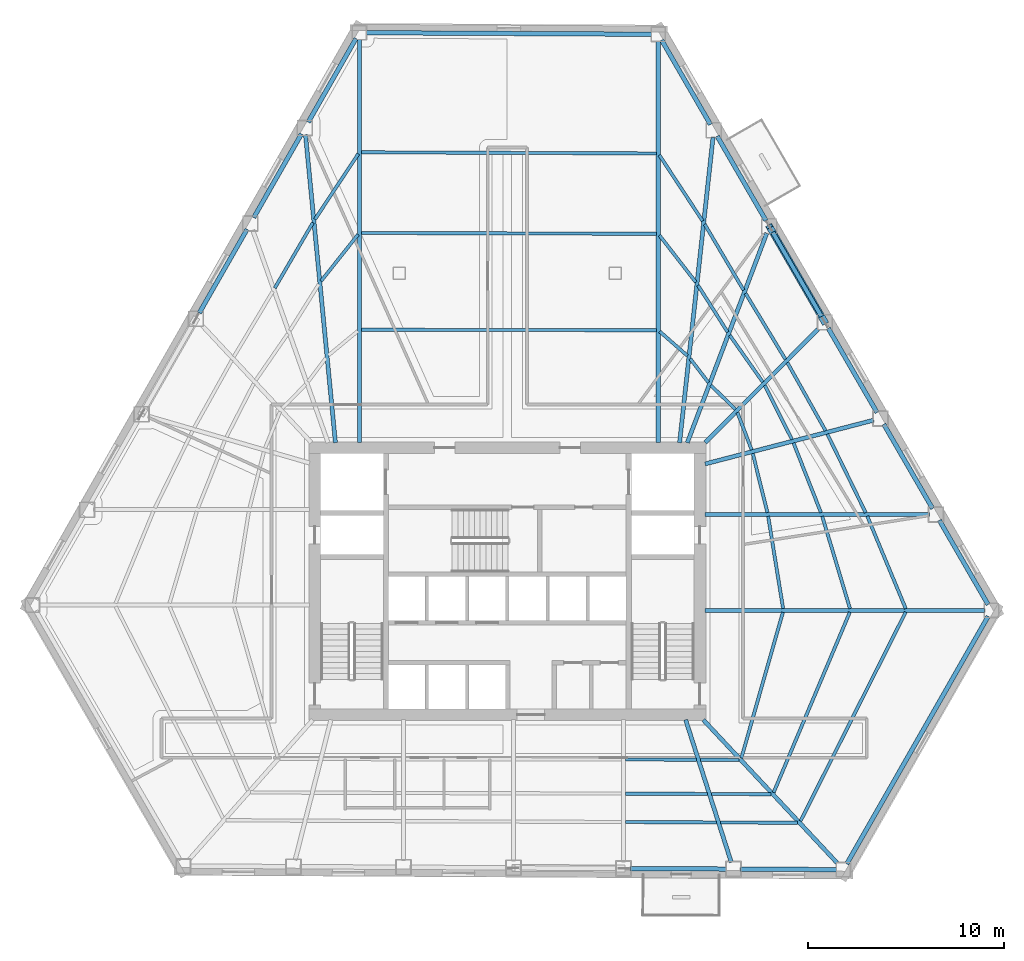
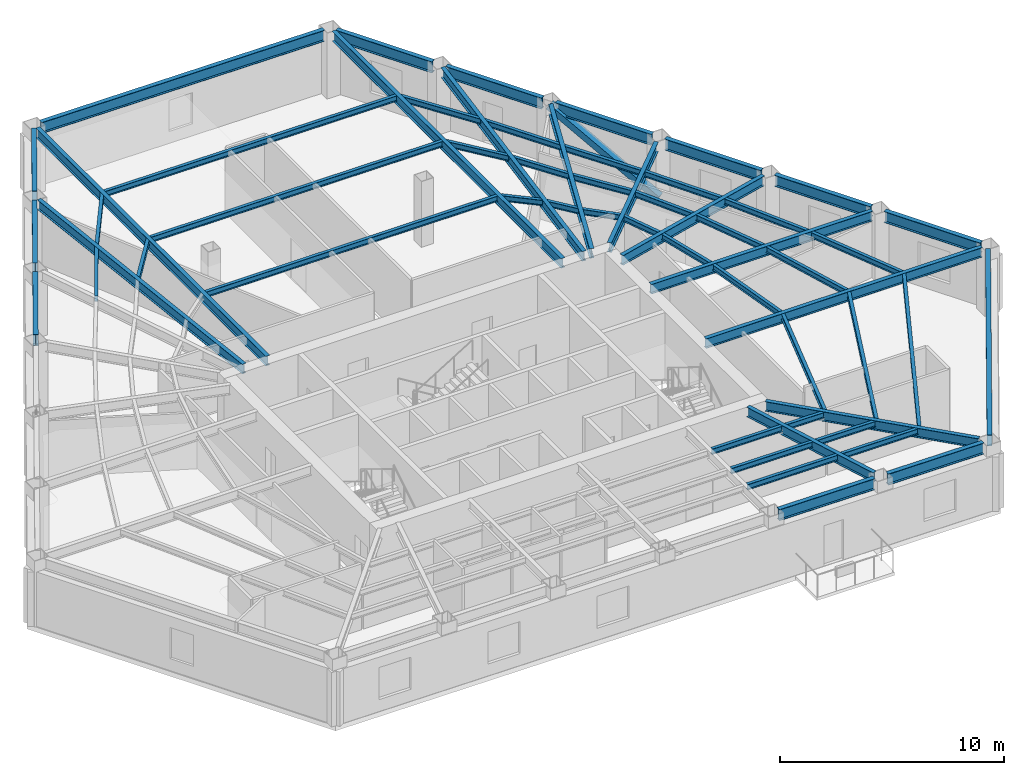
# One storey, part 2 of 12: 57 beams, 1 member.
"""IFC4 building model written with IfcOpenShell, lengths in metres."""

from ifc_helpers import new_model, si_unit, direction, frame, origin, origin_2d, place, context, subcontext, project, spatial, hollow_rectangle, i_section, extrude, material, material_profile, profile_set, type_object, element, save


model = new_model("IFC4")

# Units and contexts
model_context = context("Model", 3, precision=1e-05, world=origin(), true_north=direction((0.0, 1.0)))
body_context = subcontext(model_context, "Body", "Model", "MODEL_VIEW")
ifc_project = project(units=[si_unit("LENGTHUNIT", "METRE"), si_unit("AREAUNIT", "SQUARE_METRE"), si_unit("VOLUMEUNIT", "CUBIC_METRE"), si_unit("PLANEANGLEUNIT", "RADIAN"), si_unit("MASSUNIT", "GRAM", prefix="KILO")], contexts=[model_context])

# Site, building, storey
site_placement = place(None, origin())
site = spatial("IfcSite", under=ifc_project, at=site_placement, CompositionType="ELEMENT")
building_placement = place(site_placement, origin())
building = spatial("IfcBuilding", under=site, at=building_placement, Name="Kavelnor Concourse Tower", CompositionType="ELEMENT")
storey_placement = place(building_placement, frame((0.0, 0.0, 40.64990234375)))
storey = spatial("IfcBuildingStorey", under=building, at=storey_placement, Name="L10", CompositionType="ELEMENT", Elevation=40.64990234375)

# Beams
ifc_material = material(Name="Steel Grade 350", Category="steel")
ifc_material_profile_1 = material_profile(ifc_material, i_section(OverallWidth=0.166015625, OverallDepth=0.306884765625, WebThickness=0.006591796875, FlangeThickness=0.01171875, at=origin_2d()), Name="310UB46")
ifc_profile_set_1 = profile_set([ifc_material_profile_1], Name="Steel Grade 350")
beam_type_1 = type_object("IfcBeamType", Name="BM-JOIST-310", PredefinedType="JOIST", material=ifc_profile_set_1)
beam_1_placement = place(storey_placement, frame((44.018310546875, 7.01220703125, 3.4365234375), z_axis=(0.999996893094, -0.002492749784, 0.0), x_axis=(0.002492749784, 0.999996893094, 0.0)))
element("IfcBeam", 1, at=beam_1_placement, inside=storey, type_object=beam_type_1, Name="L10 Secondary Composite Joist 06-1", PredefinedType="JOIST", context=body_context, shape_type="SweptSolid", body=[
    extrude(i_section(OverallWidth=0.166015625, OverallDepth=0.306884765625, WebThickness=0.006591796875, FlangeThickness=0.01171875, at=origin_2d()), origin(), (0.0, 0.0, 1.0), 3.623779296875),
])
beam_2_placement = place(storey_placement, frame((44.018310546875, 5.274169921875, 3.4365234375), z_axis=(0.999993238694, -0.003677304111, 0.0), x_axis=(0.003677304111, 0.999993238694, 0.0)))
element("IfcBeam", 2, at=beam_2_placement, inside=storey, type_object=beam_type_1, Name="L10 Secondary Composite Joist 06-2", PredefinedType="JOIST", context=body_context, shape_type="SweptSolid", body=[
    extrude(i_section(OverallWidth=0.166015625, OverallDepth=0.306884765625, WebThickness=0.006591796875, FlangeThickness=0.01171875, at=origin_2d()), origin(), (0.0, 0.0, 1.0), 4.1826171875),
])
beam_3_placement = place(storey_placement, frame((44.018310546875, 3.82568359375, 3.4365234375), z_axis=(0.999990498633, -0.004359202279, 0.0), x_axis=(0.004359202279, 0.999990498633, 0.0)))
element("IfcBeam", 3, at=beam_3_placement, inside=storey, type_object=beam_type_1, Name="L10 Secondary Composite Joist 06-3", PredefinedType="JOIST", context=body_context, shape_type="SweptSolid", body=[
    extrude(i_section(OverallWidth=0.166015625, OverallDepth=0.306884765625, WebThickness=0.006591796875, FlangeThickness=0.01171875, at=origin_2d()), origin(), (0.0, 0.0, 1.0), 4.6484375),
])
beam_4_placement = place(storey_placement, frame((47.839111328125, 7.00244140625, 3.4365234375), z_axis=(0.999982947868, -0.005839860655, 0.0), x_axis=(0.005839860655, 0.999982947868, 0.0)))
element("IfcBeam", 4, at=beam_4_placement, inside=storey, type_object=beam_type_1, Name="L10 Secondary Composite Joist 07-1", PredefinedType="JOIST", context=body_context, shape_type="SweptSolid", body=[
    extrude(i_section(OverallWidth=0.166015625, OverallDepth=0.306884765625, WebThickness=0.006591796875, FlangeThickness=0.01171875, at=origin_2d()), origin(), (0.0, 0.0, 1.0), 1.96484375),
])
beam_5_placement = place(storey_placement, frame((48.39794921875, 5.258056640625, 3.4365234375), z_axis=(0.999988394944, -0.004817673334, 0.0), x_axis=(0.004817673334, 0.999988394944, 0.0)))
element("IfcBeam", 5, at=beam_5_placement, inside=storey, type_object=beam_type_1, Name="L10 Secondary Composite Joist 07-2", PredefinedType="JOIST", context=body_context, shape_type="SweptSolid", body=[
    extrude(i_section(OverallWidth=0.166015625, OverallDepth=0.306884765625, WebThickness=0.006591796875, FlangeThickness=0.01171875, at=origin_2d()), origin(), (0.0, 0.0, 1.0), 3.04052734375),
])
beam_6_placement = place(storey_placement, frame((48.86376953125, 3.804443359375, 3.4365234375), z_axis=(0.999990306493, -0.004403058094, 0.0), x_axis=(0.004403058094, 0.999990306493, 0.0)))
element("IfcBeam", 6, at=beam_6_placement, inside=storey, type_object=beam_type_1, Name="L10 Secondary Composite Joist 07-3", PredefinedType="JOIST", context=body_context, shape_type="SweptSolid", body=[
    extrude(i_section(OverallWidth=0.166015625, OverallDepth=0.306884765625, WebThickness=0.006591796875, FlangeThickness=0.01171875, at=origin_2d()), origin(), (0.0, 0.0, 1.0), 3.936767578125),
])
beam_7_placement = place(storey_placement, frame((49.929443359375, 7.085205078125, 3.4365234375), z_axis=(0.273940576518, 0.961746619717, 0.0), x_axis=(-0.961746619717, 0.273940576518, 0.0)))
element("IfcBeam", 7, at=beam_7_placement, inside=storey, type_object=beam_type_1, Name="L10 Secondary Composite Joist 08-1", PredefinedType="JOIST", context=body_context, shape_type="SweptSolid", body=[
    extrude(i_section(OverallWidth=0.166015625, OverallDepth=0.306884765625, WebThickness=0.006591796875, FlangeThickness=0.01171875, at=origin_2d()), origin(), (0.0, 0.0, 1.0), 7.72607421875),
])
beam_8_placement = place(storey_placement, frame((51.5751953125, 5.33349609375, 3.4365234375), z_axis=(0.389222269893, 0.921143867493, 0.0), x_axis=(-0.921143867493, 0.389222269893, 0.0)))
element("IfcBeam", 8, at=beam_8_placement, inside=storey, type_object=beam_type_1, Name="L10 Secondary Composite Joist 08-2", PredefinedType="JOIST", context=body_context, shape_type="SweptSolid", body=[
    extrude(i_section(OverallWidth=0.166015625, OverallDepth=0.306884765625, WebThickness=0.006591796875, FlangeThickness=0.01171875, at=origin_2d()), origin(), (0.0, 0.0, 1.0), 9.97265625),
])
beam_9_placement = place(storey_placement, frame((52.943359375, 3.87451171875, 3.4365234375), z_axis=(0.449604095521, 0.893227942516, 0.0), x_axis=(-0.893227942516, 0.449604095521, 0.0)))
element("IfcBeam", 9, at=beam_9_placement, inside=storey, type_object=beam_type_1, Name="L10 Secondary Composite Joist 08-3", PredefinedType="JOIST", context=body_context, shape_type="SweptSolid", body=[
    extrude(i_section(OverallWidth=0.166015625, OverallDepth=0.306884765625, WebThickness=0.006591796875, FlangeThickness=0.01171875, at=origin_2d()), origin(), (0.0, 0.0, 1.0), 11.920654296875),
])
beam_10_placement = place(storey_placement, frame((52.05712890625, 14.70751953125, 3.4365234375), z_axis=(-0.159865921348, 0.98713873756, 0.0), x_axis=(-0.98713873756, -0.159865921348, 0.0)))
element("IfcBeam", 10, at=beam_10_placement, inside=storey, type_object=beam_type_1, Name="L10 Secondary Composite Joist 09-1", PredefinedType="JOIST", context=body_context, shape_type="SweptSolid", body=[
    extrude(i_section(OverallWidth=0.166015625, OverallDepth=0.306884765625, WebThickness=0.006591796875, FlangeThickness=0.01171875, at=origin_2d()), origin(), (0.0, 0.0, 1.0), 4.76171875),
])
beam_11_placement = place(storey_placement, frame((55.466796875, 14.70458984375, 3.4365234375), z_axis=(-0.287981326671, 0.957636024536, 0.0), x_axis=(-0.957636024536, -0.287981326671, 0.0)))
element("IfcBeam", 11, at=beam_11_placement, inside=storey, type_object=beam_type_1, Name="L10 Secondary Composite Joist 09-2", PredefinedType="JOIST", context=body_context, shape_type="SweptSolid", body=[
    extrude(i_section(OverallWidth=0.166015625, OverallDepth=0.306884765625, WebThickness=0.006591796875, FlangeThickness=0.01171875, at=origin_2d()), origin(), (0.0, 0.0, 1.0), 4.91455078125),
])
beam_12_placement = place(storey_placement, frame((58.309326171875, 14.701416015625, 3.4365234375), z_axis=(-0.384438805075, 0.923150478065, 0.0), x_axis=(-0.923150478065, -0.384438805075, 0.0)))
element("IfcBeam", 12, at=beam_12_placement, inside=storey, type_object=beam_type_1, Name="L10 Secondary Composite Joist 09-3", PredefinedType="JOIST", context=body_context, shape_type="SweptSolid", body=[
    extrude(i_section(OverallWidth=0.166015625, OverallDepth=0.306884765625, WebThickness=0.006591796875, FlangeThickness=0.01171875, at=origin_2d()), origin(), (0.0, 0.0, 1.0), 5.105224609375),
])
beam_13_placement = place(storey_placement, frame((51.25634765625, 19.6005859375, 3.4365234375), z_axis=(-0.240291943021, 0.97070066556, 0.0), x_axis=(-0.97070066556, -0.240291943021, 0.0)))
element("IfcBeam", 13, at=beam_13_placement, inside=storey, type_object=beam_type_1, Name="L10 Secondary Composite Joist 10-1", PredefinedType="JOIST", context=body_context, shape_type="SweptSolid", body=[
    extrude(i_section(OverallWidth=0.166015625, OverallDepth=0.306884765625, WebThickness=0.006591796875, FlangeThickness=0.01171875, at=origin_2d()), origin(), (0.0, 0.0, 1.0), 3.098876953125),
])
beam_14_placement = place(storey_placement, frame((53.987060546875, 19.5966796875, 3.4365234375), z_axis=(-0.366766080775, 0.930313195646, 0.0), x_axis=(-0.930313195646, -0.366766080775, 0.0)))
element("IfcBeam", 14, at=beam_14_placement, inside=storey, type_object=beam_type_1, Name="L10 Secondary Composite Joist 10-2", PredefinedType="JOIST", context=body_context, shape_type="SweptSolid", body=[
    extrude(i_section(OverallWidth=0.166015625, OverallDepth=0.306884765625, WebThickness=0.006591796875, FlangeThickness=0.01171875, at=origin_2d()), origin(), (0.0, 0.0, 1.0), 3.817626953125),
])
beam_15_placement = place(storey_placement, frame((56.265625, 19.593505859375, 3.4365234375), z_axis=(-0.438247632047, 0.898854277959, 0.0), x_axis=(-0.898854277959, -0.438247632047, 0.0)))
element("IfcBeam", 15, at=beam_15_placement, inside=storey, type_object=beam_type_1, Name="L10 Secondary Composite Joist 10-3", PredefinedType="JOIST", context=body_context, shape_type="SweptSolid", body=[
    extrude(i_section(OverallWidth=0.166015625, OverallDepth=0.306884765625, WebThickness=0.006591796875, FlangeThickness=0.01171875, at=origin_2d()), origin(), (0.0, 0.0, 1.0), 4.455078125),
])
beam_16_placement = place(storey_placement, frame((50.452880859375, 22.79638671875, 3.4365234375), z_axis=(-0.355215660523, 0.934784378624, 0.0), x_axis=(-0.934784378624, -0.355215660523, 0.0)))
element("IfcBeam", 16, at=beam_16_placement, inside=storey, type_object=beam_type_1, Name="L10 Secondary Composite Joist 11-1", PredefinedType="JOIST", context=body_context, shape_type="SweptSolid", body=[
    extrude(i_section(OverallWidth=0.166015625, OverallDepth=0.306884765625, WebThickness=0.006591796875, FlangeThickness=0.01171875, at=origin_2d()), origin(), (0.0, 0.0, 1.0), 2.03173828125),
])
beam_17_placement = place(storey_placement, frame((52.506591796875, 23.327880859375, 3.4365234375), z_axis=(-0.449174741177, 0.893443927669, 0.0), x_axis=(-0.893443927669, -0.449174741177, 0.0)))
element("IfcBeam", 17, at=beam_17_placement, inside=storey, type_object=beam_type_1, Name="L10 Secondary Composite Joist 11-2", PredefinedType="JOIST", context=body_context, shape_type="SweptSolid", body=[
    extrude(i_section(OverallWidth=0.166015625, OverallDepth=0.306884765625, WebThickness=0.006591796875, FlangeThickness=0.01171875, at=origin_2d()), origin(), (0.0, 0.0, 1.0), 3.085693359375),
])
beam_18_placement = place(storey_placement, frame((54.2216796875, 23.772216796875, 3.4365234375), z_axis=(-0.489442243424, 0.872035716214, 0.0), x_axis=(-0.872035716214, -0.489442243424, 0.0)))
element("IfcBeam", 18, at=beam_18_placement, inside=storey, type_object=beam_type_1, Name="L10 Secondary Composite Joist 11-3", PredefinedType="JOIST", context=body_context, shape_type="SweptSolid", body=[
    extrude(i_section(OverallWidth=0.166015625, OverallDepth=0.306884765625, WebThickness=0.006591796875, FlangeThickness=0.01171875, at=origin_2d()), origin(), (0.0, 0.0, 1.0), 3.97802734375),
])
beam_19_placement = place(storey_placement, frame((49.626220703125, 24.856689453125, 3.4365234375), z_axis=(-0.712456313983, 0.701716467433, 0.0), x_axis=(-0.701716467433, -0.712456313983, 0.0)))
element("IfcBeam", 19, at=beam_19_placement, inside=storey, type_object=beam_type_1, Name="L10 Secondary Composite Joist 12-1", PredefinedType="JOIST", context=body_context, shape_type="SweptSolid", body=[
    extrude(i_section(OverallWidth=0.166015625, OverallDepth=0.306884765625, WebThickness=0.006591796875, FlangeThickness=0.01171875, at=origin_2d()), origin(), (0.0, 0.0, 1.0), 1.75048828125),
])
beam_20_placement = place(storey_placement, frame((51.01953125, 26.253173828125, 3.4365234375), z_axis=(-0.576272477578, 0.817257628649, 0.0), x_axis=(-0.817257628649, -0.576272477578, 0.0)))
element("IfcBeam", 20, at=beam_20_placement, inside=storey, type_object=beam_type_1, Name="L10 Secondary Composite Joist 12-2", PredefinedType="JOIST", context=body_context, shape_type="SweptSolid", body=[
    extrude(i_section(OverallWidth=0.166015625, OverallDepth=0.306884765625, WebThickness=0.006591796875, FlangeThickness=0.01171875, at=origin_2d()), origin(), (0.0, 0.0, 1.0), 2.917724609375),
])
beam_21_placement = place(storey_placement, frame((52.175537109375, 27.4111328125, 3.4365234375), z_axis=(-0.51768293639, 0.855572543605, 0.0), x_axis=(-0.855572543605, -0.51768293639, 0.0)))
element("IfcBeam", 21, at=beam_21_placement, inside=storey, type_object=beam_type_1, Name="L10 Secondary Composite Joist 12-3", PredefinedType="JOIST", context=body_context, shape_type="SweptSolid", body=[
    extrude(i_section(OverallWidth=0.166015625, OverallDepth=0.306884765625, WebThickness=0.006591796875, FlangeThickness=0.01171875, at=origin_2d()), origin(), (0.0, 0.0, 1.0), 3.927001953125),
])
beam_22_placement = place(storey_placement, frame((48.2490234375, 26.232421875, 3.4365234375), z_axis=(-0.608776723205, 0.793341604407, 0.0), x_axis=(-0.793341604407, -0.608776723205, 0.0)))
element("IfcBeam", 22, at=beam_22_placement, inside=storey, type_object=beam_type_1, Name="L10 Secondary Composite Joist 13-1", PredefinedType="JOIST", context=body_context, shape_type="SweptSolid", body=[
    extrude(i_section(OverallWidth=0.166015625, OverallDepth=0.306884765625, WebThickness=0.006591796875, FlangeThickness=0.01171875, at=origin_2d()), origin(), (0.0, 0.0, 1.0), 1.529052734375),
])
beam_23_placement = place(storey_placement, frame((49.228515625, 28.801513671875, 3.4365234375), z_axis=(-0.535349008417, 0.844630948513, 0.0), x_axis=(-0.844630948513, -0.535349008417, 0.0)))
element("IfcBeam", 23, at=beam_23_placement, inside=storey, type_object=beam_type_1, Name="L10 Secondary Composite Joist 13-2", PredefinedType="JOIST", context=body_context, shape_type="SweptSolid", body=[
    extrude(i_section(OverallWidth=0.166015625, OverallDepth=0.306884765625, WebThickness=0.006591796875, FlangeThickness=0.01171875, at=origin_2d()), origin(), (0.0, 0.0, 1.0), 2.81640625),
])
beam_24_placement = place(storey_placement, frame((50.04150390625, 30.93994140625, 3.4365234375), z_axis=(-0.508541464885, 0.861037501212, 0.0), x_axis=(-0.861037501212, -0.508541464885, 0.0)))
element("IfcBeam", 24, at=beam_24_placement, inside=storey, type_object=beam_type_1, Name="L10 Secondary Composite Joist 13-3", PredefinedType="JOIST", context=body_context, shape_type="SweptSolid", body=[
    extrude(i_section(OverallWidth=0.166015625, OverallDepth=0.306884765625, WebThickness=0.006591796875, FlangeThickness=0.01171875, at=origin_2d()), origin(), (0.0, 0.0, 1.0), 3.897216796875),
])
beam_25_placement = place(storey_placement, frame((47.18408203125, 27.58837890625, 3.4365234375), z_axis=(-0.752126666104, 0.65901857192, 0.0), x_axis=(-0.65901857192, -0.752126666104, 0.0)))
element("IfcBeam", 25, at=beam_25_placement, inside=storey, type_object=beam_type_1, Name="L10 Secondary Composite Joist 14-1", PredefinedType="JOIST", context=body_context, shape_type="SweptSolid", body=[
    extrude(i_section(OverallWidth=0.166015625, OverallDepth=0.306884765625, WebThickness=0.006591796875, FlangeThickness=0.01171875, at=origin_2d()), origin(), (0.0, 0.0, 1.0), 1.882568359375),
])
beam_26_placement = place(storey_placement, frame((47.607666015625, 31.341552734375, 3.4365234375), z_axis=(-0.612838951751, 0.790207832926, 0.0), x_axis=(-0.790207832926, -0.612838951751, 0.0)))
element("IfcBeam", 26, at=beam_26_placement, inside=storey, type_object=beam_type_1, Name="L10 Secondary Composite Joist 14-2", PredefinedType="JOIST", context=body_context, shape_type="SweptSolid", body=[
    extrude(i_section(OverallWidth=0.166015625, OverallDepth=0.306884765625, WebThickness=0.006591796875, FlangeThickness=0.01171875, at=origin_2d()), origin(), (0.0, 0.0, 1.0), 3.024169921875),
])
beam_27_placement = place(storey_placement, frame((47.955322265625, 34.462890625, 3.4365234375), z_axis=(-0.549095474209, 0.835759630637, 0.0), x_axis=(-0.835759630637, -0.549095474209, 0.0)))
element("IfcBeam", 27, at=beam_27_placement, inside=storey, type_object=beam_type_1, Name="L10 Secondary Composite Joist 14-3", PredefinedType="JOIST", context=body_context, shape_type="SweptSolid", body=[
    extrude(i_section(OverallWidth=0.166015625, OverallDepth=0.306884765625, WebThickness=0.006591796875, FlangeThickness=0.01171875, at=origin_2d()), origin(), (0.0, 0.0, 1.0), 4.019775390625),
])
for number, where, z_axis, x_axis, name in (
    (28, (45.595458984375, 28.894287109375, 3.4365234375), (-0.999998835968, 0.001525798863, 0.0), (-0.001525798863, -0.999998835968, 0.0), "L10 Secondary Composite Joist 15-1"),
    (29, (45.595458984375, 33.809326171875, 3.4365234375), (-0.99999591932, 0.002856806561, 0.0), (-0.002856806561, -0.99999591932, 0.0), "L10 Secondary Composite Joist 15-2"),
    (30, (45.595458984375, 37.905029296875, 3.4365234375), (-0.99999215696, 0.003960557831, 0.0), (-0.003960557831, -0.99999215696, 0.0), "L10 Secondary Composite Joist 15-3"),
):
    element("IfcBeam", number, at=place(storey_placement, frame(where, z_axis=z_axis, x_axis=x_axis)), inside=storey, type_object=beam_type_1, Name=name, PredefinedType="JOIST", context=body_context, shape_type="SweptSolid", body=[
        extrude(i_section(OverallWidth=0.166015625, OverallDepth=0.306884765625, WebThickness=0.006591796875, FlangeThickness=0.01171875, at=origin_2d()), origin(), (0.0, 0.0, 1.0), 15.040771484375),
    ])
beam_28_placement = place(storey_placement, frame((30.394775390625, 33.775390625, 3.4365234375), z_axis=(-0.622494443434, -0.782624218826, 0.0), x_axis=(0.782624218826, -0.622494443434, 0.0)))
element("IfcBeam", 31, at=beam_28_placement, inside=storey, type_object=beam_type_1, Name="L10 Secondary Composite Joist 16-2", PredefinedType="JOIST", context=body_context, shape_type="SweptSolid", body=[
    extrude(i_section(OverallWidth=0.166015625, OverallDepth=0.306884765625, WebThickness=0.006591796875, FlangeThickness=0.01171875, at=origin_2d()), origin(), (0.0, 0.0, 1.0), 3.033935546875),
])
beam_29_placement = place(storey_placement, frame((30.401611328125, 37.8828125, 3.4365234375), z_axis=(-0.551782029494, -0.833988364384, 0.0), x_axis=(0.833988364384, -0.551782029494, 0.0)))
element("IfcBeam", 32, at=beam_29_placement, inside=storey, type_object=beam_type_1, Name="L10 Secondary Composite Joist 16-3", PredefinedType="JOIST", context=body_context, shape_type="SweptSolid", body=[
    extrude(i_section(OverallWidth=0.166015625, OverallDepth=0.306884765625, WebThickness=0.006591796875, FlangeThickness=0.01171875, at=origin_2d()), origin(), (0.0, 0.0, 1.0), 4.001220703125),
])
beam_30_placement = place(storey_placement, frame((28.08984375, 34.378662109375, 3.4365234375), z_axis=(-0.503579698348, -0.863948775919, 0.0), x_axis=(0.863948775919, -0.503579698348, 0.0)))
element("IfcBeam", 33, at=beam_30_placement, inside=storey, type_object=beam_type_1, Name="L10 Secondary Composite Joist 17-3", PredefinedType="JOIST", context=body_context, shape_type="SweptSolid", body=[
    extrude(i_section(OverallWidth=0.166015625, OverallDepth=0.306884765625, WebThickness=0.006591796875, FlangeThickness=0.01171875, at=origin_2d()), origin(), (0.0, 0.0, 1.0), 3.856201171875),
])
ifc_material_profile_2 = material_profile(ifc_material, i_section(OverallWidth=0.208984375, OverallDepth=0.528076171875, WebThickness=0.009521484375, FlangeThickness=0.01318359375, at=origin_2d()), Name="530UB82")
ifc_profile_set_2 = profile_set([ifc_material_profile_2], Name="Steel Grade 350")
beam_type_2 = type_object("IfcBeamType", Name="BM-PRIMARY-530", PredefinedType="BEAM", material=ifc_profile_set_2)
beam_31_placement = place(storey_placement, frame((30.4560546875, 23.159912109375, 3.326171875), z_axis=(0.0, 1.0, 0.0), x_axis=(-1.0, 0.0, 0.0)))
element("IfcBeam", 34, at=beam_31_placement, inside=storey, type_object=beam_type_2, Name="L10 Primary Floor Girder F0-B0", PredefinedType="BEAM", context=body_context, shape_type="SweptSolid", body=[
    extrude(i_section(OverallWidth=0.208984375, OverallDepth=0.528076171875, WebThickness=0.009521484375, FlangeThickness=0.01318359375, at=origin_2d()), origin(), (0.0, 0.0, 1.0), 20.5625),
])
beam_32_placement = place(storey_placement, frame((29.238037109375, 23.16015625, 3.326171875), z_axis=(-0.096721891451, 0.995311446591, 0.0), x_axis=(-0.995311446591, -0.096721891451, 0.0)))
element("IfcBeam", 35, at=beam_32_placement, inside=storey, type_object=beam_type_2, Name="L10 Primary Floor Girder F0-B1", PredefinedType="BEAM", context=body_context, shape_type="SweptSolid", body=[
    extrude(i_section(OverallWidth=0.208984375, OverallDepth=0.528076171875, WebThickness=0.009521484375, FlangeThickness=0.01318359375, at=origin_2d()), origin(), (0.0, 0.0, 1.0), 15.7734375),
])
beam_33_placement = place(storey_placement, frame((47.08837890625, 9.0380859375, 3.326171875), z_axis=(0.305132028983, -0.952310057118, 0.0), x_axis=(0.952310057118, 0.305132028983, 0.0)))
element("IfcBeam", 36, at=beam_33_placement, inside=storey, type_object=beam_type_2, Name="L10 Primary Floor Girder F1-B5", PredefinedType="BEAM", context=body_context, shape_type="SweptSolid", body=[
    extrude(i_section(OverallWidth=0.208984375, OverallDepth=0.528076171875, WebThickness=0.009521484375, FlangeThickness=0.01318359375, at=origin_2d()), origin(), (0.0, 0.0, 1.0), 7.63232421875),
])
beam_34_placement = place(storey_placement, frame((47.99560546875, 9.029296875, 3.326171875), z_axis=(0.683081297819, -0.730342344774, 0.0), x_axis=(0.730342344774, 0.683081297819, 0.0)))
element("IfcBeam", 37, at=beam_34_placement, inside=storey, type_object=beam_type_2, Name="L10 Primary Floor Girder F1-B6", PredefinedType="BEAM", context=body_context, shape_type="SweptSolid", body=[
    extrude(i_section(OverallWidth=0.208984375, OverallDepth=0.528076171875, WebThickness=0.009521484375, FlangeThickness=0.01318359375, at=origin_2d()), origin(), (0.0, 0.0, 1.0), 9.969970703125),
])
beam_35_placement = place(storey_placement, frame((48.080078125, 14.6103515625, 3.326171875), z_axis=(1.0, 0.0, 0.0), x_axis=(0.0, 1.0, 0.0)))
element("IfcBeam", 38, at=beam_35_placement, inside=storey, type_object=beam_type_2, Name="L10 Primary Floor Girder F2-B0", PredefinedType="BEAM", context=body_context, shape_type="SweptSolid", body=[
    extrude(i_section(OverallWidth=0.208984375, OverallDepth=0.528076171875, WebThickness=0.009521484375, FlangeThickness=0.01318359375, at=origin_2d()), origin(), (0.0, 0.0, 1.0), 14.260009765625),
])
beam_36_placement = place(storey_placement, frame((48.080078125, 19.505126953125, 3.326171875), z_axis=(1.0, 0.0, 0.0), x_axis=(0.0, 1.0, 0.0)))
element("IfcBeam", 39, at=beam_36_placement, inside=storey, type_object=beam_type_2, Name="L10 Primary Floor Girder F2-B1", PredefinedType="BEAM", context=body_context, shape_type="SweptSolid", body=[
    extrude(i_section(OverallWidth=0.208984375, OverallDepth=0.528076171875, WebThickness=0.009521484375, FlangeThickness=0.01318359375, at=origin_2d()), origin(), (0.0, 0.0, 1.0), 11.428955078125),
])
beam_37_placement = place(storey_placement, frame((48.081298828125, 22.079345703125, 3.326171875), z_axis=(0.967901596812, 0.251329462836, 0.0), x_axis=(-0.251329462836, 0.967901596812, 0.0)))
element("IfcBeam", 40, at=beam_37_placement, inside=storey, type_object=beam_type_2, Name="L10 Primary Floor Girder F2-B2", PredefinedType="BEAM", context=body_context, shape_type="SweptSolid", body=[
    extrude(i_section(OverallWidth=0.208984375, OverallDepth=0.528076171875, WebThickness=0.009521484375, FlangeThickness=0.01318359375, at=origin_2d()), origin(), (0.0, 0.0, 1.0), 8.880615234375),
])
beam_38_placement = place(storey_placement, frame((48.086181640625, 23.171630859375, 3.326171875), z_axis=(0.705817018272, 0.708394195853, 0.0), x_axis=(-0.708394195853, 0.705817018272, 0.0)))
element("IfcBeam", 41, at=beam_38_placement, inside=storey, type_object=beam_type_2, Name="L10 Primary Floor Girder F2-B3", PredefinedType="BEAM", context=body_context, shape_type="SweptSolid", body=[
    extrude(i_section(OverallWidth=0.208984375, OverallDepth=0.528076171875, WebThickness=0.009521484375, FlangeThickness=0.01318359375, at=origin_2d()), origin(), (0.0, 0.0, 1.0), 8.14697265625),
])
beam_39_placement = place(storey_placement, frame((47.174560546875, 23.16259765625, 3.326171875), z_axis=(0.354572432565, 0.935028550401, 0.0), x_axis=(-0.935028550401, 0.354572432565, 0.0)))
element("IfcBeam", 42, at=beam_39_placement, inside=storey, type_object=beam_type_2, Name="L10 Primary Floor Girder F2-B4", PredefinedType="BEAM", context=body_context, shape_type="SweptSolid", body=[
    extrude(i_section(OverallWidth=0.208984375, OverallDepth=0.528076171875, WebThickness=0.009521484375, FlangeThickness=0.01318359375, at=origin_2d()), origin(), (0.0, 0.0, 1.0), 11.426513671875),
])
beam_40_placement = place(storey_placement, frame((46.780029296875, 23.16015625, 3.326171875), z_axis=(0.108918712135, 0.994050659749, 0.0), x_axis=(-0.994050659749, 0.108918712135, 0.0)))
element("IfcBeam", 43, at=beam_40_placement, inside=storey, type_object=beam_type_2, Name="L10 Primary Floor Girder F2-B5", PredefinedType="BEAM", context=body_context, shape_type="SweptSolid", body=[
    extrude(i_section(OverallWidth=0.208984375, OverallDepth=0.528076171875, WebThickness=0.009521484375, FlangeThickness=0.01318359375, at=origin_2d()), origin(), (0.0, 0.0, 1.0), 15.677001953125),
])
beam_41_placement = place(storey_placement, frame((45.69384765625, 23.159912109375, 3.326171875), z_axis=(0.0, 1.0, 0.0), x_axis=(-1.0, 0.0, 0.0)))
element("IfcBeam", 44, at=beam_41_placement, inside=storey, type_object=beam_type_2, Name="L10 Primary Floor Girder F2-B6", PredefinedType="BEAM", context=body_context, shape_type="SweptSolid", body=[
    extrude(i_section(OverallWidth=0.208984375, OverallDepth=0.528076171875, WebThickness=0.009521484375, FlangeThickness=0.01318359375, at=origin_2d()), origin(), (0.0, 0.0, 1.0), 20.47900390625),
])
ifc_material_profile_3 = material_profile(ifc_material, i_section(OverallWidth=0.22900390625, OverallDepth=0.612060546875, WebThickness=0.011962890625, FlangeThickness=0.01953125, at=origin_2d()), Name="610UB125")
ifc_profile_set_3 = profile_set([ifc_material_profile_3], Name="Steel Grade 350")
beam_type_3 = type_object("IfcBeamType", Name="BM-SPANDREL-Z1", PredefinedType="SPANDREL", material=ifc_profile_set_3)
beam_42_placement = place(storey_placement, frame((30.284912109375, 43.7626953125, 3.2841796875), z_axis=(-0.495903278427, -0.868377762524, 0.0), x_axis=(0.868377762524, -0.495903278427, 0.0)))
element("IfcBeam", 45, at=beam_42_placement, inside=storey, type_object=beam_type_3, Name="L10 Perimeter Tube Spandrel Beam F0-B0", PredefinedType="SPANDREL", context=body_context, shape_type="SweptSolid", body=[
    extrude(i_section(OverallWidth=0.22900390625, OverallDepth=0.612060546875, WebThickness=0.011962890625, FlangeThickness=0.01953125, at=origin_2d()), origin(), (0.0, 0.0, 1.0), 4.909423828125),
])
for number, where, z_axis, x_axis, name in (
    (46, (27.508056640625, 38.900390625, 3.2841796875), (-0.495881864087, -0.868389991231, 0.0), (0.868389991231, -0.495881864087, 0.0), "L10 Perimeter Tube Spandrel Beam F0-B1"),
    (47, (24.731201171875, 34.037841796875, 3.2841796875), (-0.495881864087, -0.868389991231, 0.0), (0.868389991231, -0.495881864087, 0.0), "L10 Perimeter Tube Spandrel Beam F0-B2"),
):
    element("IfcBeam", number, at=place(storey_placement, frame(where, z_axis=z_axis, x_axis=x_axis)), inside=storey, type_object=beam_type_3, Name=name, PredefinedType="SPANDREL", context=body_context, shape_type="SweptSolid", body=[
        extrude(i_section(OverallWidth=0.22900390625, OverallDepth=0.612060546875, WebThickness=0.011962890625, FlangeThickness=0.01953125, at=origin_2d()), origin(), (0.0, 0.0, 1.0), 4.90966796875),
    ])
beam_43_placement = place(storey_placement, frame((45.348876953125, 43.980712890625, 3.2841796875), z_axis=(-0.999984943013, 0.005487599456, 0.0), x_axis=(-0.005487599456, -0.999984943013, 0.0)))
element("IfcBeam", 48, at=beam_43_placement, inside=storey, type_object=beam_type_3, Name="L10 Chamfer Facet Spandrel Beam C0", PredefinedType="SPANDREL", context=body_context, shape_type="SweptSolid", body=[
    extrude(i_section(OverallWidth=0.22900390625, OverallDepth=0.612060546875, WebThickness=0.011962890625, FlangeThickness=0.01953125, at=origin_2d()), origin(), (0.0, 0.0, 1.0), 14.548095703125),
])
for number, where, z_axis, x_axis, name in (
    (49, (44.2646484375, 1.45654296875, 3.2841796875), (0.999985086362, -0.005461414999, 0.0), (0.005461414999, 0.999985086362, 0.0), "L10 Perimeter Tube Spandrel Beam F1-B4"),
    (50, (49.871826171875, 1.42578125, 3.2841796875), (0.999985086362, -0.005461414999, 0.0), (0.005461414999, 0.999985086362, 0.0), "L10 Perimeter Tube Spandrel Beam F1-B5"),
):
    element("IfcBeam", number, at=place(storey_placement, frame(where, z_axis=z_axis, x_axis=x_axis)), inside=storey, type_object=beam_type_3, Name=name, PredefinedType="SPANDREL", context=body_context, shape_type="SweptSolid", body=[
        extrude(i_section(OverallWidth=0.22900390625, OverallDepth=0.612060546875, WebThickness=0.011962890625, FlangeThickness=0.01953125, at=origin_2d()), origin(), (0.0, 0.0, 1.0), 4.917236328125),
    ])
for number, where, z_axis, x_axis, name in (
    (51, (62.50732421875, 14.908935546875, 3.2841796875), (-0.500660159993, 0.8656439246, 0.0), (-0.8656439246, -0.500660159993, 0.0), "L10 Perimeter Tube Spandrel Beam F2-B0"),
    (52, (59.67626953125, 19.8037109375, 3.2841796875), (-0.500660159993, 0.8656439246, 0.0), (-0.8656439246, -0.500660159993, 0.0), "L10 Perimeter Tube Spandrel Beam F2-B1"),
    (53, (56.84521484375, 24.698486328125, 3.2841796875), (-0.500660159993, 0.8656439246, 0.0), (-0.8656439246, -0.500660159993, 0.0), "L10 Perimeter Tube Spandrel Beam F2-B2"),
):
    element("IfcBeam", number, at=place(storey_placement, frame(where, z_axis=z_axis, x_axis=x_axis)), inside=storey, type_object=beam_type_3, Name=name, PredefinedType="SPANDREL", context=body_context, shape_type="SweptSolid", body=[
        extrude(i_section(OverallWidth=0.22900390625, OverallDepth=0.612060546875, WebThickness=0.011962890625, FlangeThickness=0.01953125, at=origin_2d()), origin(), (0.0, 0.0, 1.0), 4.964599609375),
    ])
beam_44_placement = place(storey_placement, frame((54.01416015625, 29.59326171875, 3.2841796875), z_axis=(-0.500681473274, 0.865631597344, 0.0), x_axis=(-0.865631597344, -0.500681473274, 0.0)))
element("IfcBeam", 54, at=beam_44_placement, inside=storey, type_object=beam_type_3, Name="L10 Perimeter Tube Spandrel Beam F2-B3", PredefinedType="SPANDREL", context=body_context, shape_type="SweptSolid", body=[
    extrude(i_section(OverallWidth=0.22900390625, OverallDepth=0.612060546875, WebThickness=0.011962890625, FlangeThickness=0.01953125, at=origin_2d()), origin(), (0.0, 0.0, 1.0), 4.96435546875),
])
beam_45_placement = place(storey_placement, frame((51.18310546875, 34.48779296875, 3.2841796875), z_axis=(-0.500660159993, 0.8656439246, 0.0), x_axis=(-0.8656439246, -0.500660159993, 0.0)))
element("IfcBeam", 55, at=beam_45_placement, inside=storey, type_object=beam_type_3, Name="L10 Perimeter Tube Spandrel Beam F2-B4", PredefinedType="SPANDREL", context=body_context, shape_type="SweptSolid", body=[
    extrude(i_section(OverallWidth=0.22900390625, OverallDepth=0.612060546875, WebThickness=0.011962890625, FlangeThickness=0.01953125, at=origin_2d()), origin(), (0.0, 0.0, 1.0), 4.964599609375),
])
beam_46_placement = place(storey_placement, frame((48.352294921875, 39.3828125, 3.2841796875), z_axis=(-0.500681473274, 0.865631597344, 0.0), x_axis=(-0.865631597344, -0.500681473274, 0.0)))
element("IfcBeam", 56, at=beam_46_placement, inside=storey, type_object=beam_type_3, Name="L10 Perimeter Tube Spandrel Beam F2-B5", PredefinedType="SPANDREL", context=body_context, shape_type="SweptSolid", body=[
    extrude(i_section(OverallWidth=0.22900390625, OverallDepth=0.612060546875, WebThickness=0.011962890625, FlangeThickness=0.01953125, at=origin_2d()), origin(), (0.0, 0.0, 1.0), 4.96435546875),
])
beam_47_placement = place(storey_placement, frame((55.30517578125, 1.696533203125, 3.2841796875), z_axis=(0.495903623902, 0.868377565233, 0.0), x_axis=(-0.868377565233, 0.495903623902, 0.0)))
element("IfcBeam", 57, at=beam_47_placement, inside=storey, type_object=beam_type_3, Name="L10 Chamfer Facet Spandrel Beam C2", PredefinedType="SPANDREL", context=body_context, shape_type="SweptSolid", body=[
    extrude(i_section(OverallWidth=0.22900390625, OverallDepth=0.612060546875, WebThickness=0.011962890625, FlangeThickness=0.01953125, at=origin_2d()), origin(), (0.0, 0.0, 1.0), 14.526123046875),
])

# Member
ifc_material_profile_4 = material_profile(ifc_material, hollow_rectangle(XDim=0.35009765625, YDim=0.35009765625, WallThickness=0.02001953125, at=origin_2d()), Name="SHS 350x350x20")
ifc_profile_set_4 = profile_set([ifc_material_profile_4], Name="Steel Grade 350")
member_type = type_object("IfcMemberType", Name="MBR-TUBE-DIAG-Z1", PredefinedType="BRACE", material=ifc_profile_set_4)
member_placement = place(storey_placement, frame((54.18701171875, 29.294677734375, 0.22021484375), z_axis=(-0.440212388343, 0.761070883193, 0.476428550682), x_axis=(-0.865627234165, -0.500689016728, 0.0)))
element("IfcMember", 58, at=member_placement, inside=storey, type_object=member_type, Name="L10 Framed-Tube Bracing Diagonal F2-B3", PredefinedType="BRACE", context=body_context, shape_type="SweptSolid", body=[
    extrude(hollow_rectangle(XDim=0.35009765625, YDim=0.35009765625, WallThickness=0.02001953125, at=origin_2d()), origin(), (0.0, 0.0, 1.0), 6.43115234375),
])

save(model, "model.ifc")
